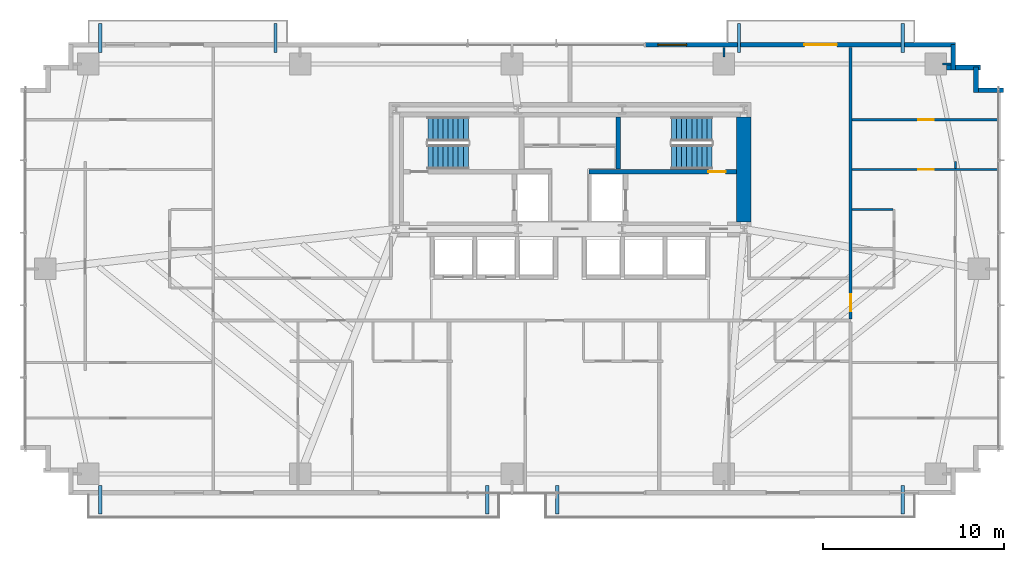
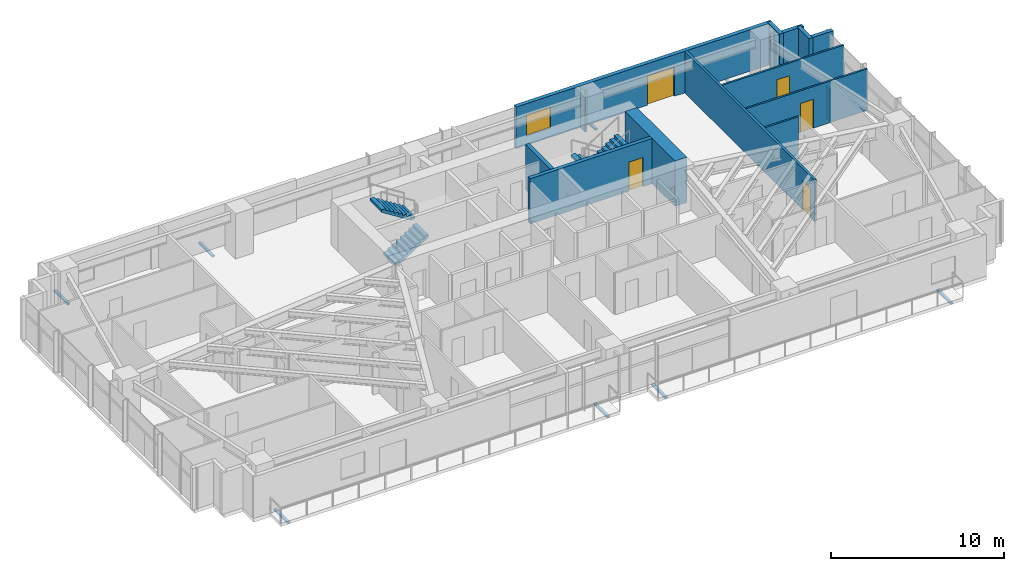
# One storey, part 22 of 25: 15 walls, 8 discrete accessories, 5 doors, 4 stair flights, 1 window, 6 openings, 2 elements without a shape of their own.
"""IFC4 building model written with IfcOpenShell, lengths in metres."""

from ifc_helpers import new_model, si_unit, direction, frame, frame_2d, origin, origin_2d, place, context, subcontext, project, spatial, polyline, rectangle, outline, extrude, source, transform, mapped, material, layer, layer_set, type_object, type_shapes, element, fill, aggregate, save


model = new_model("IFC4")

# Units and contexts
model_context = context("Model", 3, precision=1e-05, world=origin(), true_north=direction((0.0, 1.0)))
body_context = subcontext(model_context, "Body", "Model", "MODEL_VIEW")
ifc_project = project(units=[si_unit("LENGTHUNIT", "METRE"), si_unit("AREAUNIT", "SQUARE_METRE"), si_unit("VOLUMEUNIT", "CUBIC_METRE"), si_unit("PLANEANGLEUNIT", "RADIAN"), si_unit("MASSUNIT", "GRAM", prefix="KILO")], contexts=[model_context])

# Site, building, storey
site_placement = place(None, origin())
site = spatial("IfcSite", under=ifc_project, at=site_placement, CompositionType="ELEMENT")
building_placement = place(site_placement, origin())
building = spatial("IfcBuilding", under=site, at=building_placement, Name="Astriad Promenade Condominiums", CompositionType="ELEMENT")
storey_placement = place(building_placement, frame((0.0, 0.0, 58.199951171875)))
storey = spatial("IfcBuildingStorey", under=building, at=storey_placement, Name="L16", CompositionType="ELEMENT", Elevation=58.199951171875)

# Wall
ifc_material_1 = material(Name="Concrete C80/95", Category="concrete")
ifc_layer_1 = layer(ifc_material_1, 0.800048828125)
ifc_layer_set_1 = layer_set([ifc_layer_1], Name="Concrete C80/95")
wall_type_1 = type_object("IfcWallType", Name="CW-SHEAR-800", PredefinedType="SHEAR", material=ifc_layer_set_1)
wall_1_placement = place(storey_placement, frame((45.60009765625, 17.802001953125, 0.0), z_axis=(0.0, 0.0, 1.0), x_axis=(0.0, 1.0, 0.0)))
element("IfcWall", 1, at=wall_1_placement, inside=storey, type_object=wall_type_1, Name="CW-CORE-E-L16", PredefinedType="SHEAR", context=body_context, shape_type="SweptSolid", body=[
    extrude(rectangle(XDim=5.7958984375, YDim=0.800048828125, at=frame_2d((2.89794921875, 0.0))), origin(), (0.0, 0.0, 1.0), 3.199951171875),
])

# Wall, opening, door
ifc_material_2 = material(Name="Concrete C50/60", Category="concrete")
ifc_layer_2 = layer(ifc_material_2, 0.25)
ifc_layer_set_2 = layer_set([ifc_layer_2], Name="Concrete C50/60")
wall_type_2 = type_object("IfcWallType", Name="WALL-CORE-INT-250", PredefinedType="SOLIDWALL", material=ifc_layer_set_2)
wall_2_placement = place(storey_placement, frame((37.050048828125, 20.574951171875, 0.0), z_axis=(0.0, 0.0, 1.0), x_axis=(1.0, 0.0, 0.0)))
wall_2 = element("IfcWall", 2, at=wall_2_placement, inside=storey, type_object=wall_type_2, Name="CW-INT-H2-L16", PredefinedType="SOLIDWALL", context=body_context, shape_type="SweptSolid", body=[
    extrude(rectangle(XDim=8.14794921875, YDim=0.25, at=frame_2d((4.073974609375, 0.0))), origin(), (0.0, 0.0, 1.0), 3.199951171875),
])
opening_1_placement = place(wall_2_placement, frame((6.60009765625, 0.0, 0.0)))
opening_1 = element("IfcOpeningElement", 3, at=opening_1_placement, cuts=wall_2, Name="Opening FD90-ST-095", PredefinedType="OPENING", context=body_context, shape_type="SweptSolid", body=[
    extrude(rectangle(XDim=0.949951171875, YDim=2.06005859375, at=frame_2d((0.47509765625, 1.030029296875))), frame((0.0, 0.135009765625, 0.0), z_axis=(0.0, -1.0, 0.0), x_axis=(1.0, 0.0, 0.0)), (0.0, 0.0, 1.0), 0.27001953125),
])
ifc_material_3 = material(Name="Fire-Rated Hollow Metal Stair Door")
door_type_1 = type_object("IfcDoorType", Name="FD90-ST-095", OperationType="NOTDEFINED", PredefinedType="DOOR", material=ifc_material_3)
shared_shape_1 = source(origin(), body_context, "Body", "SweptSolid", [
    extrude(rectangle(XDim=0.949951171875, YDim=2.06005859375, at=frame_2d((0.47509765625, 1.030029296875))), frame((0.0, 0.02490234375, 0.0), z_axis=(0.0, -1.0, 0.0), x_axis=(1.0, 0.0, 0.0)), (0.0, 0.0, 1.0), 0.050048828125),
])
type_shapes(door_type_1, [shared_shape_1])
door_1_placement = place(opening_1_placement, origin())
door_1 = element("IfcDoor", 4, at=door_1_placement, inside=storey, type_object=door_type_1, Name="D-ST2-L16", OperationType="SINGLE_SWING_RIGHT", OverallHeight=2.06005859375, OverallWidth=0.949951171875, PredefinedType="DOOR", context=body_context, shape_type="MappedRepresentation", body=[
    mapped(shared_shape_1, transform((0.0, 0.0, 0.0), scale=1.0)),
])
fill(opening_1, door_1)

# Wall
wall_3_placement = place(storey_placement, frame((38.675048828125, 20.701904296875, 0.0), z_axis=(0.0, 0.0, 1.0), x_axis=(0.0, 1.0, 0.0)))
element("IfcWall", 5, at=wall_3_placement, inside=storey, type_object=wall_type_2, Name="CW-ST2-W-L16", PredefinedType="SOLIDWALL", context=body_context, shape_type="SweptSolid", body=[
    extrude(rectangle(XDim=2.89599609375, YDim=0.25, at=frame_2d((1.447998046875, 0.0))), origin(), (0.0, 0.0, 1.0), 3.199951171875),
])

# Wall, opening, door
ifc_material_4 = material(Name="Fire-Rated Gypsum Partition")
ifc_layer_3 = layer(ifc_material_4, 0.159912109375)
ifc_layer_set_3 = layer_set([ifc_layer_3], Name="Fire-Rated Gypsum Partition")
wall_type_3 = type_object("IfcWallType", Name="WALL-CORR-160", PredefinedType="PARTITIONING", material=ifc_layer_set_3)
wall_4_placement = place(storey_placement, frame((51.5, 12.431884765625, 0.0), z_axis=(0.0, 0.0, 1.0), x_axis=(0.0, 1.0, 0.0)))
wall_4 = element("IfcWall", 6, at=wall_4_placement, inside=storey, type_object=wall_type_3, Name="PT-COR-E-L16-S2", PredefinedType="PARTITIONING", context=body_context, shape_type="SweptSolid", body=[
    extrude(rectangle(XDim=15.006103515625, YDim=0.159912109375, at=frame_2d((7.5029296875, 0.0))), origin(), (0.0, 0.0, 1.0), 2.93994140625),
])
opening_2_placement = place(wall_4_placement, frame((0.428955078125, 0.0, 0.0)))
opening_2 = element("IfcOpeningElement", 7, at=opening_2_placement, cuts=wall_4, Name="Opening FD60-APT-095", PredefinedType="OPENING", context=body_context, shape_type="SweptSolid", body=[
    extrude(rectangle(XDim=0.949951171875, YDim=2.06005859375, at=frame_2d((0.47509765625, 1.030029296875))), frame((0.0, 0.08984375, 0.0), z_axis=(0.0, -1.0, 0.0), x_axis=(1.0, 0.0, 0.0)), (0.0, 0.0, 1.0), 0.179931640625),
])
ifc_material_5 = material(Name="Solid-Core Acoustic Timber Residence Entry Door", Category="wood")
door_type_2 = type_object("IfcDoorType", Name="FD60-APT-095", OperationType="NOTDEFINED", PredefinedType="DOOR", material=ifc_material_5)
shared_shape_2 = source(origin(), body_context, "Body", "SweptSolid", [
    extrude(rectangle(XDim=0.949951171875, YDim=2.06005859375, at=frame_2d((0.47509765625, 1.030029296875))), frame((0.0, 0.02490234375, 0.0), z_axis=(0.0, -1.0, 0.0), x_axis=(1.0, 0.0, 0.0)), (0.0, 0.0, 1.0), 0.050048828125),
])
type_shapes(door_type_2, [shared_shape_2])
door_2_placement = place(opening_2_placement, origin())
door_2 = element("IfcDoor", 8, at=door_2_placement, inside=storey, type_object=door_type_2, Name="D-ENT-L16-E1", OperationType="SINGLE_SWING_RIGHT", OverallHeight=2.06005859375, OverallWidth=0.949951171875, PredefinedType="DOOR", context=body_context, shape_type="MappedRepresentation", body=[
    mapped(shared_shape_2, transform((0.0, 0.0, 0.0), scale=1.0)),
])
fill(opening_2, door_2)

# Wall, openings, door, window
ifc_material_6 = material(Name="Precast concrete C50/60", Category="concrete")
ifc_layer_4 = layer(ifc_material_6, 0.260009765625)
ifc_layer_set_4 = layer_set([ifc_layer_4], Name="Precast concrete C50/60")
wall_type_4 = type_object("IfcWallType", Name="WALL-EXT-TWR-260", PredefinedType="STANDARD", material=ifc_layer_set_4)
wall_5_placement = place(storey_placement, frame((40.14990234375, 27.570068359375, 0.0), z_axis=(0.0, 0.0, 1.0), x_axis=(1.0, 0.0, 0.0)))
wall_5 = element("IfcWall", 9, at=wall_5_placement, inside=storey, type_object=wall_type_4, Name="W-EXT-L16-N2", PredefinedType="STANDARD", context=body_context, shape_type="SweptSolid", body=[
    extrude(rectangle(XDim=17.150146484375, YDim=0.260009765625, at=frame_2d((8.5751953125, 0.0))), origin(), (0.0, 0.0, 1.0), 2.93994140625),
])
opening_3_placement = place(wall_5_placement, frame((8.7900390625, 0.0, 0.0)))
opening_3 = element("IfcOpeningElement", 10, at=opening_3_placement, cuts=wall_5, Name="Opening BD-1822-SLD", PredefinedType="OPENING", context=body_context, shape_type="SweptSolid", body=[
    extrude(rectangle(XDim=1.800048828125, YDim=2.06005859375, at=frame_2d((0.89990234375, 1.030029296875))), frame((0.0, 0.139892578125, 0.0), z_axis=(0.0, -1.0, 0.0), x_axis=(1.0, 0.0, 0.0)), (0.0, 0.0, 1.0), 0.280029296875),
])
opening_4_placement = place(wall_5_placement, frame((0.699951171875, 0.0, 0.64990234375)))
opening_4 = element("IfcOpeningElement", 11, at=opening_4_placement, cuts=wall_5, Name="Opening WIN-TWR-1620", PredefinedType="OPENING", context=body_context, shape_type="SweptSolid", body=[
    extrude(rectangle(XDim=1.60009765625, YDim=1.5, at=frame_2d((0.800048828125, 0.75))), frame((0.0, 0.139892578125, 0.0), z_axis=(0.0, -1.0, 0.0), x_axis=(1.0, 0.0, 0.0)), (0.0, 0.0, 1.0), 0.280029296875),
])
ifc_material_7 = material(Name="Thermally Broken Aluminium Sliding Balcony Door", Category="aluminium")
door_type_3 = type_object("IfcDoorType", Name="BD-1822-SLD", OperationType="NOTDEFINED", PredefinedType="DOOR", material=ifc_material_7)
shared_shape_3 = source(origin(), body_context, "Body", "SweptSolid", [
    extrude(rectangle(XDim=1.800048828125, YDim=2.06005859375, at=frame_2d((0.89990234375, 1.030029296875))), frame((0.0, 0.02490234375, 0.0), z_axis=(0.0, -1.0, 0.0), x_axis=(1.0, 0.0, 0.0)), (0.0, 0.0, 1.0), 0.050048828125),
])
type_shapes(door_type_3, [shared_shape_3])
door_3_placement = place(opening_3_placement, origin())
door_3 = element("IfcDoor", 12, at=door_3_placement, inside=storey, type_object=door_type_3, Name="BD-L16-NE", OperationType="SLIDING_TO_RIGHT", OverallHeight=2.06005859375, OverallWidth=1.800048828125, PredefinedType="DOOR", context=body_context, shape_type="MappedRepresentation", body=[
    mapped(shared_shape_3, transform((0.0, 0.0, 0.0), scale=1.0)),
])
fill(opening_3, door_3)
ifc_material_8 = material(Name="Dark Tinted Triple-Glazed Aluminium Window", Category="aluminium")
window_type = type_object("IfcWindowType", Name="WIN-TWR-1620", PartitioningType="SINGLE_PANEL", PredefinedType="WINDOW", material=ifc_material_8)
shared_shape_4 = source(origin(), body_context, "Body", "SweptSolid", [
    extrude(rectangle(XDim=1.60009765625, YDim=1.5, at=frame_2d((0.800048828125, 0.75))), frame((0.0, 0.030029296875, 0.0), z_axis=(0.0, -1.0, 0.0), x_axis=(1.0, 0.0, 0.0)), (0.0, 0.0, 1.0), 0.06005859375),
])
type_shapes(window_type, [shared_shape_4])
window_placement = place(opening_4_placement, origin())
window = element("IfcWindow", 13, at=window_placement, inside=storey, type_object=window_type, Name="WIN-L16-NE", OverallHeight=1.5, OverallWidth=1.60009765625, PartitioningType="SINGLE_PANEL", PredefinedType="WINDOW", context=body_context, shape_type="MappedRepresentation", body=[
    mapped(shared_shape_4, transform((0.0, 0.0, 0.0), scale=1.0)),
])
fill(opening_4, window)

# Walls
wall_6_placement = place(storey_placement, frame((57.169921875, 27.5849609375, 0.0), z_axis=(0.0, 0.0, 1.0), x_axis=(0.0, -1.0, 0.0)))
element("IfcWall", 14, at=wall_6_placement, inside=storey, type_object=wall_type_4, Name="W-SER-L16-09", PredefinedType="STANDARD", context=body_context, shape_type="SweptSolid", body=[
    extrude(rectangle(XDim=1.39501953125, YDim=0.260009765625, at=frame_2d((0.697509765625, 0.0))), origin(), (0.0, 0.0, 1.0), 2.93994140625),
])
wall_7_placement = place(storey_placement, frame((56.802001953125, 26.320068359375, 0.0), z_axis=(0.0, 0.0, 1.0), x_axis=(1.0, 0.0, 0.0)))
element("IfcWall", 15, at=wall_7_placement, inside=storey, type_object=wall_type_4, Name="W-SER-L16-10", PredefinedType="STANDARD", context=body_context, shape_type="SweptSolid", body=[
    extrude(rectangle(XDim=1.8779296875, YDim=0.260009765625, at=frame_2d((0.93896484375, 0.0))), origin(), (0.0, 0.0, 1.0), 2.93994140625),
])
for number, where, z_axis, x_axis, name in (
    (16, (58.419921875, 26.3349609375, 0.0), (0.0, 0.0, 1.0), (0.0, -1.0, 0.0), "W-SER-L16-11"),
    (17, (58.534912109375, 25.070068359375, 0.0), (0.0, 0.0, 1.0), (1.0, 0.0, 0.0), "W-SER-L16-12"),
):
    element("IfcWall", number, at=place(storey_placement, frame(where, z_axis=z_axis, x_axis=x_axis)), inside=storey, type_object=wall_type_4, Name=name, PredefinedType="STANDARD", context=body_context, shape_type="SweptSolid", body=[
        extrude(rectangle(XDim=1.39501953125, YDim=0.260009765625, at=frame_2d((0.697509765625, 0.0))), origin(), (0.0, 0.0, 1.0), 2.93994140625),
    ])
ifc_material_9 = material(Name="Acoustic Metal-Stud Gypsum Partition")
ifc_layer_5 = layer(ifc_material_9, 0.1201171875)
ifc_layer_set_5 = layer_set([ifc_layer_5], Name="Acoustic Metal-Stud Gypsum Partition")
wall_type_5 = type_object("IfcWallType", Name="WALL-PART-120", PredefinedType="PARTITIONING", material=ifc_layer_set_5)
wall_8_placement = place(storey_placement, frame((51.58203125, 18.486083984375, 0.0), z_axis=(0.0, 0.0, 1.0), x_axis=(1.0, 0.0, 0.0)))
element("IfcWall", 18, at=wall_8_placement, inside=storey, type_object=wall_type_5, Name="PT-L16-E1-PN", PredefinedType="PARTITIONING", context=body_context, shape_type="SweptSolid", body=[
    extrude(rectangle(XDim=2.255859375, YDim=0.1201171875, at=frame_2d((1.1279296875, 0.0))), origin(), (0.0, 0.0, 1.0), 2.93994140625),
])

# Wall, opening, door
wall_9_placement = place(storey_placement, frame((51.58203125, 23.43994140625, 0.0), z_axis=(0.0, 0.0, 1.0), x_axis=(1.0, 0.0, 0.0)))
wall_9 = element("IfcWall", 19, at=wall_9_placement, inside=storey, type_object=wall_type_5, Name="PT-L16-E1-WDN2", PredefinedType="PARTITIONING", context=body_context, shape_type="SweptSolid", body=[
    extrude(rectangle(XDim=8.137939453125, YDim=0.1201171875, at=frame_2d((4.06884765625, 0.0))), origin(), (0.0, 0.0, 1.0), 2.93994140625),
])
opening_5_placement = place(wall_9_placement, frame((3.653076171875, 0.0, 0.0)))
opening_5 = element("IfcOpeningElement", 20, at=opening_5_placement, cuts=wall_9, Name="Opening D-INT-085", PredefinedType="OPENING", context=body_context, shape_type="SweptSolid", body=[
    extrude(rectangle(XDim=0.85009765625, YDim=2.050048828125, at=frame_2d((0.425048828125, 1.02490234375))), frame((0.0, 0.070068359375, 0.0), z_axis=(0.0, -1.0, 0.0), x_axis=(1.0, 0.0, 0.0)), (0.0, 0.0, 1.0), 0.14013671875),
])
ifc_material_10 = material(Name="Painted Solid-Core Timber Room Door", Category="wood")
door_type_4 = type_object("IfcDoorType", Name="D-INT-085", OperationType="NOTDEFINED", PredefinedType="DOOR", material=ifc_material_10)
shared_shape_5 = source(origin(), body_context, "Body", "SweptSolid", [
    extrude(rectangle(XDim=0.85009765625, YDim=2.050048828125, at=frame_2d((0.425048828125, 1.02490234375))), frame((0.0, 0.02490234375, 0.0), z_axis=(0.0, -1.0, 0.0), x_axis=(1.0, 0.0, 0.0)), (0.0, 0.0, 1.0), 0.050048828125),
])
type_shapes(door_type_4, [shared_shape_5])
door_4_placement = place(opening_5_placement, origin())
door_4 = element("IfcDoor", 21, at=door_4_placement, inside=storey, type_object=door_type_4, Name="D-WDN2-L16-E1", OperationType="SINGLE_SWING_RIGHT", OverallHeight=2.050048828125, OverallWidth=0.85009765625, PredefinedType="DOOR", context=body_context, shape_type="MappedRepresentation", body=[
    mapped(shared_shape_5, transform((0.0, 0.0, 0.0), scale=1.0)),
])
fill(opening_5, door_4)

wall_10_placement = place(storey_placement, frame((51.58203125, 20.68798828125, 0.0), z_axis=(0.0, 0.0, 1.0), x_axis=(1.0, 0.0, 0.0)))
wall_10 = element("IfcWall", 22, at=wall_10_placement, inside=storey, type_object=wall_type_5, Name="PT-L16-E1-WDN4", PredefinedType="PARTITIONING", context=body_context, shape_type="SweptSolid", body=[
    extrude(rectangle(XDim=8.137939453125, YDim=0.1201171875, at=frame_2d((4.06884765625, 0.0))), origin(), (0.0, 0.0, 1.0), 2.93994140625),
])
opening_6_placement = place(wall_10_placement, frame((3.653076171875, 0.0, 0.0)))
opening_6 = element("IfcOpeningElement", 23, at=opening_6_placement, cuts=wall_10, Name="Opening D-INT-085", PredefinedType="OPENING", context=body_context, shape_type="SweptSolid", body=[
    extrude(rectangle(XDim=0.85009765625, YDim=2.050048828125, at=frame_2d((0.425048828125, 1.02490234375))), frame((0.0, 0.070068359375, 0.0), z_axis=(0.0, -1.0, 0.0), x_axis=(1.0, 0.0, 0.0)), (0.0, 0.0, 1.0), 0.14013671875),
])
door_5_placement = place(opening_6_placement, origin())
door_5 = element("IfcDoor", 24, at=door_5_placement, inside=storey, type_object=door_type_4, Name="D-WDN4-L16-E1", OperationType="SINGLE_SWING_RIGHT", OverallHeight=2.050048828125, OverallWidth=0.85009765625, PredefinedType="DOOR", context=body_context, shape_type="MappedRepresentation", body=[
    mapped(shared_shape_5, transform((0.0, 0.0, 0.0), scale=1.0)),
])
fill(opening_6, door_5)

# Walls
wall_11_placement = place(storey_placement, frame((57.287109375, 20.75, 0.0), z_axis=(0.0, 0.0, 1.0), x_axis=(0.0, 1.0, 0.0)))
element("IfcWall", 25, at=wall_11_placement, inside=storey, type_object=wall_type_5, Name="PT-L16-E1-WDV5-S3", PredefinedType="PARTITIONING", context=body_context, shape_type="SweptSolid", body=[
    extrude(rectangle(XDim=0.3779296875, YDim=0.1201171875, at=frame_2d((0.18896484375, 0.0))), origin(), (0.0, 0.0, 1.0), 2.31005859375),
])
wall_12_placement = place(storey_placement, frame((44.5, 26.89990234375, 0.0), z_axis=(0.0, 0.0, 1.0), x_axis=(0.0, 1.0, 0.0)))
element("IfcWall", 26, at=wall_12_placement, inside=storey, type_object=wall_type_5, Name="PT-PIL-L16-PC09-16", PredefinedType="PARTITIONING", context=body_context, shape_type="SweptSolid", body=[
    extrude(rectangle(XDim=0.5380859375, YDim=0.1201171875, at=frame_2d((0.26904296875, 0.0))), origin(), (0.0, 0.0, 1.0), 2.93994140625),
])
wall_13_placement = place(storey_placement, frame((56.580078125, 26.52001953125, 0.0), z_axis=(0.0, 0.0, 1.0), x_axis=(1.0, 0.0, 0.0)))
element("IfcWall", 27, at=wall_13_placement, inside=storey, type_object=wall_type_5, Name="PT-PIL-L16-PC10-17", PredefinedType="PARTITIONING", context=body_context, shape_type="SweptSolid", body=[
    extrude(rectangle(XDim=0.4580078125, YDim=0.1201171875, at=frame_2d((0.22900390625, 0.0))), origin(), (0.0, 0.0, 1.0), 2.93994140625),
])

# Stair, stair flights
stair_type = type_object("IfcStairType", Name="STR-CORE-1350", PredefinedType="HALF_TURN_STAIR", material=ifc_material_2)
stair_1_placement = place(storey_placement, origin())
stair_1 = element("IfcStair", 28, at=stair_1_placement, inside=storey, type_object=stair_type, Name="L16 Enclosed Core Exit Stair ST-1", PredefinedType="HALF_TURN_STAIR")
stair_flight_type = type_object("IfcStairFlightType", Name="SFL-CORE-1350", PredefinedType="STRAIGHT", material=ifc_material_2)
shared_shape_6 = source(origin(), body_context, "Body", "SweptSolid", [
    extrude(outline(polyline([(0.0, 0.0), (0.0, 0.177734375), (0.280029296875, 0.177734375), (0.280029296875, 0.35546875), (0.56005859375, 0.35546875), (0.56005859375, 0.533447265625), (0.840087890625, 0.533447265625), (0.840087890625, 0.711181640625), (1.1201171875, 0.711181640625), (1.1201171875, 0.888916015625), (1.39990234375, 0.888916015625), (1.39990234375, 1.066650390625), (1.679931640625, 1.066650390625), (1.679931640625, 1.244384765625), (1.9599609375, 1.244384765625), (1.9599609375, 1.422119140625), (2.239990234375, 1.422119140625), (2.239990234375, 1.60009765625), (2.239990234375, 1.24462890625), (0.27978515625, 0.0), (0.0, 0.0)])), frame((0.0, 0.675048828125, 0.0), z_axis=(0.0, -1.0, 0.0), x_axis=(1.0, 0.0, 0.0)), (0.0, 0.0, 1.0), 1.35009765625),
])
type_shapes(stair_flight_type, [shared_shape_6])
stair_flight_1_placement = place(storey_placement, frame((28.14990234375, 21.375, 0.0), z_axis=(0.0, 0.0, 1.0), x_axis=(1.0, 0.0, 0.0)))
stair_flight_1 = element("IfcStairFlight", 29, at=stair_flight_1_placement, type_object=stair_flight_type, Name="ST-1 flight 1", NumberOfRisers=9, NumberOfTreads=8, PredefinedType="STRAIGHT", RiserHeight=0.177777778, TreadLength=0.28, context=body_context, shape_type="MappedRepresentation", body=[
    mapped(shared_shape_6, transform((0.0, 0.0, 0.0), scale=1.0)),
])
stair_flight_2_placement = place(storey_placement, frame((30.389892578125, 22.925048828125, 1.60009765625), z_axis=(0.0, 0.0, 1.0), x_axis=(-1.0, 0.0, 0.0)))
stair_flight_2 = element("IfcStairFlight", 30, at=stair_flight_2_placement, type_object=stair_flight_type, Name="ST-1 flight 2", NumberOfRisers=9, NumberOfTreads=8, PredefinedType="STRAIGHT", RiserHeight=0.177777778, TreadLength=0.28, context=body_context, shape_type="MappedRepresentation", body=[
    mapped(shared_shape_6, transform((0.0, 0.0, 0.0), scale=1.0)),
])
aggregate(stair_1, [stair_flight_1, stair_flight_2])

stair_2_placement = place(storey_placement, origin())
stair_2 = element("IfcStair", 31, at=stair_2_placement, inside=storey, type_object=stair_type, Name="L16 Enclosed Core Exit Stair ST-2", PredefinedType="HALF_TURN_STAIR")
stair_flight_3_placement = place(storey_placement, frame((43.85009765625, 22.925048828125, 0.0), z_axis=(0.0, 0.0, 1.0), x_axis=(-1.0, 0.0, 0.0)))
stair_flight_3 = element("IfcStairFlight", 32, at=stair_flight_3_placement, type_object=stair_flight_type, Name="ST-2 flight 1", NumberOfRisers=9, NumberOfTreads=8, PredefinedType="STRAIGHT", RiserHeight=0.177777778, TreadLength=0.28, context=body_context, shape_type="MappedRepresentation", body=[
    mapped(shared_shape_6, transform((0.0, 0.0, 0.0), scale=1.0)),
])
stair_flight_4_placement = place(storey_placement, frame((41.610107421875, 21.375, 1.60009765625), z_axis=(0.0, 0.0, 1.0), x_axis=(1.0, 0.0, 0.0)))
stair_flight_4 = element("IfcStairFlight", 33, at=stair_flight_4_placement, type_object=stair_flight_type, Name="ST-2 flight 2", NumberOfRisers=9, NumberOfTreads=8, PredefinedType="STRAIGHT", RiserHeight=0.177777778, TreadLength=0.28, context=body_context, shape_type="MappedRepresentation", body=[
    mapped(shared_shape_6, transform((0.0, 0.0, 0.0), scale=1.0)),
])
aggregate(stair_2, [stair_flight_3, stair_flight_4])

# Discrete accessories
ifc_material_11 = material(Name="Steel ASTM A572 Grade 50", Category="steel")
discrete_accessory_type = type_object("IfcDiscreteAccessoryType", Name="STEEL BALCONY OUTRIGGER BRACKET", PredefinedType="BRACKET", material=ifc_material_11)
shared_shape_7 = source(origin(), body_context, "Body", "SweptSolid", [
    extrude(rectangle(XDim=1.60009765625, YDim=0.179931640625, at=origin_2d()), origin(), (0.0, 0.0, 1.0), 0.1220703125),
])
type_shapes(discrete_accessory_type, [shared_shape_7])
for number, where, z_axis, x_axis, name in (
    (34, (10.06396484375, 2.449951171875, -0.340087890625), (0.0, 0.0, 1.0), (0.0, -1.0, 0.0), "Balcony Outrigger Bracket BAL-L16-SW-A"),
    (35, (31.427978515625, 2.449951171875, -0.340087890625), (0.0, 0.0, 1.0), (0.0, -1.0, 0.0), "Balcony Outrigger Bracket BAL-L16-SW-B"),
    (36, (35.305908203125, 2.449951171875, -0.340087890625), (0.0, 0.0, 1.0), (0.0, -1.0, 0.0), "Balcony Outrigger Bracket BAL-L16-SE-A"),
    (37, (54.376953125, 2.449951171875, -0.340087890625), (0.0, 0.0, 1.0), (0.0, -1.0, 0.0), "Balcony Outrigger Bracket BAL-L16-SE-B"),
    (38, (10.06396484375, 27.949951171875, -0.340087890625), (0.0, 0.0, 1.0), (0.0, 1.0, 0.0), "Balcony Outrigger Bracket BAL-L16-NW-A"),
    (39, (19.739990234375, 27.949951171875, -0.340087890625), (0.0, 0.0, 1.0), (0.0, 1.0, 0.0), "Balcony Outrigger Bracket BAL-L16-NW-B"),
    (40, (45.330078125, 27.949951171875, -0.340087890625), (0.0, 0.0, 1.0), (0.0, 1.0, 0.0), "Balcony Outrigger Bracket BAL-L16-NE-A"),
    (41, (54.376953125, 27.949951171875, -0.340087890625), (0.0, 0.0, 1.0), (0.0, 1.0, 0.0), "Balcony Outrigger Bracket BAL-L16-NE-B"),
):
    element("IfcDiscreteAccessory", number, at=place(storey_placement, frame(where, z_axis=z_axis, x_axis=x_axis)), inside=storey, type_object=discrete_accessory_type, Name=name, PredefinedType="BRACKET", context=body_context, shape_type="MappedRepresentation", body=[
        mapped(shared_shape_7, transform((0.0, 0.0, 0.0), scale=1.0)),
    ])

save(model, "model.ifc")
